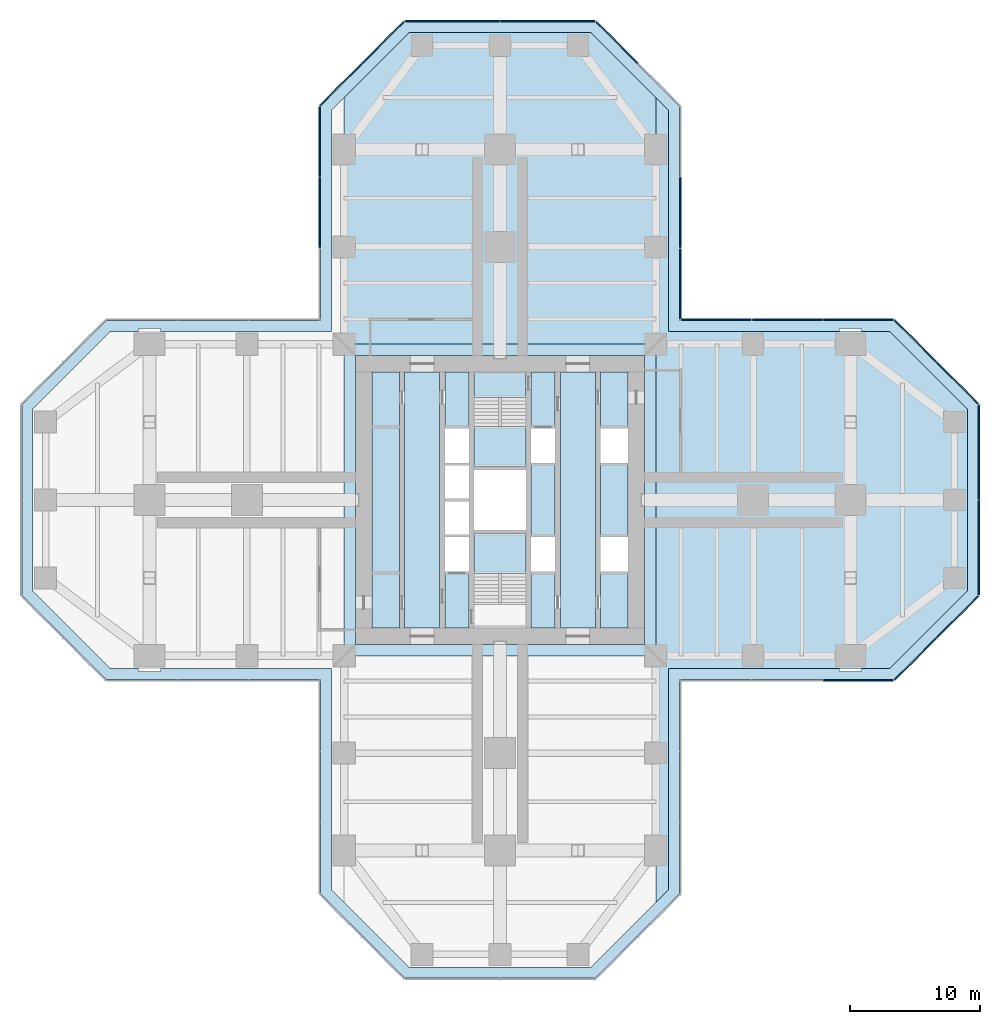
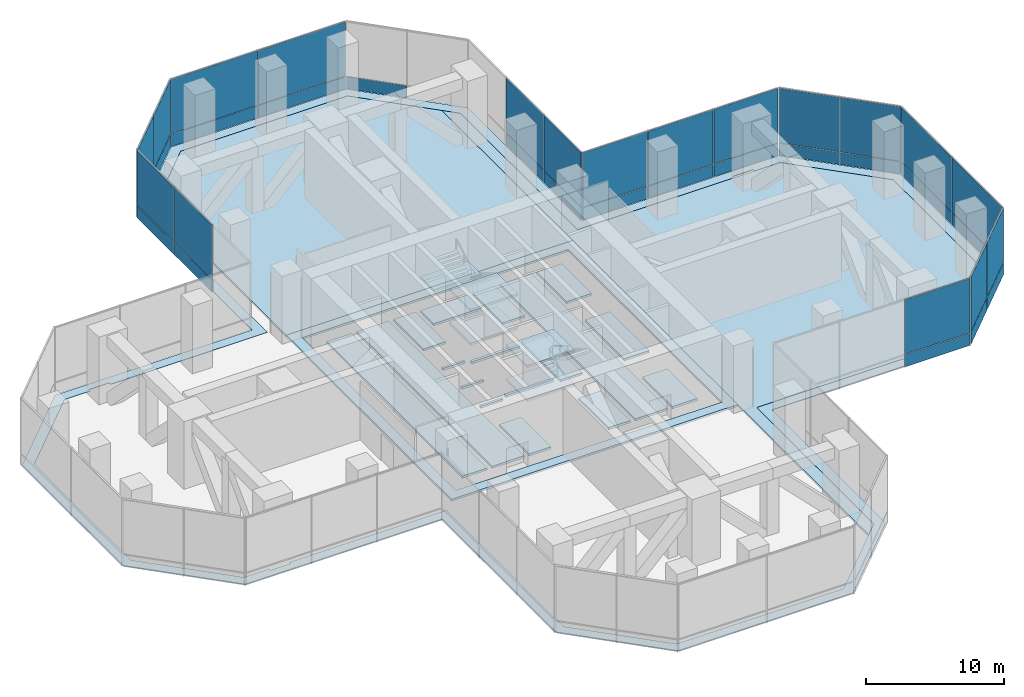
# One storey, part 14 of 20: 38 plates, 10 slabs, 12 elements without a shape of their own.
"""IFC4 building model written with IfcOpenShell, lengths in metres."""

from ifc_helpers import new_model, si_unit, direction, frame, origin, origin_2d, place, context, subcontext, project, spatial, polyline, rectangle, outline, extrude, material, layer, layer_set, type_object, element, aggregate, save


model = new_model("IFC4")

# Units and contexts
model_context = context("Model", 3, precision=1e-05, world=origin(), true_north=direction((0.0, 1.0)))
body_context = subcontext(model_context, "Body", "Model", "MODEL_VIEW")
ifc_project = project(units=[si_unit("LENGTHUNIT", "METRE"), si_unit("AREAUNIT", "SQUARE_METRE"), si_unit("VOLUMEUNIT", "CUBIC_METRE"), si_unit("PLANEANGLEUNIT", "RADIAN"), si_unit("MASSUNIT", "GRAM", prefix="KILO")], contexts=[model_context])

# Site, building, storey
site_placement = place(None, origin())
site = spatial("IfcSite", under=ifc_project, at=site_placement, CompositionType="ELEMENT")
building_placement = place(site_placement, origin())
building = spatial("IfcBuilding", under=site, at=building_placement, Name="Mizan Broadcast Tower", CompositionType="ELEMENT")
storey_placement = place(building_placement, frame((0.0, 0.0, 118.199951171875)))
storey = spatial("IfcBuildingStorey", under=building, at=storey_placement, Name="L26", CompositionType="ELEMENT", Elevation=118.199951171875)

# Plate
ifc_material_1 = material(Name="Aluminium grating", Category="aluminium")
ifc_layer_1 = layer(ifc_material_1, 0.050048828125)
ifc_layer_set_1 = layer_set([ifc_layer_1], Name="Aluminium grating")
plate_type_1 = type_object("IfcPlateType", Name="CAVITY GRATING", PredefinedType="USERDEFINED", material=ifc_layer_set_1)
plate_1_placement = place(storey_placement, frame((0.0, 0.0, -0.050048828125)))
element("IfcPlate", 1, at=plate_1_placement, inside=storey, type_object=plate_type_1, Name="Cavity grating L26", ObjectType="GRATING", PredefinedType="USERDEFINED", context=body_context, shape_type="SweptSolid", body=[
    extrude(outline(polyline([(7.339599609375, -36.820068359375), (13.820068359375, -30.339599609375), (13.820068359375, -13.820068359375), (30.339599609375, -13.820068359375), (36.820068359375, -7.339599609375), (36.820068359375, 7.339599609375), (30.339599609375, 13.820068359375), (13.820068359375, 13.820068359375), (13.820068359375, 30.339599609375), (7.339599609375, 36.820068359375), (-7.339599609375, 36.820068359375), (-13.820068359375, 30.339599609375), (-13.820068359375, 13.820068359375), (-30.339599609375, 13.820068359375), (-36.820068359375, 7.339599609375), (-36.820068359375, -7.339599609375), (-30.339599609375, -13.820068359375), (-13.820068359375, -13.820068359375), (-13.820068359375, -30.339599609375), (-7.339599609375, -36.820068359375), (7.339599609375, -36.820068359375)]), holes=[polyline([(36.0, -7.0), (30.0, -13.0), (27.85009765625, -13.0), (27.85009765625, -13.199951171875), (26.14990234375, -13.199951171875), (26.14990234375, -13.0), (13.0, -13.0), (13.0, -30.0), (7.0, -36.0), (-7.0, -36.0), (-13.0, -30.0), (-13.0, -13.0), (-26.14990234375, -13.0), (-26.14990234375, -13.199951171875), (-27.85009765625, -13.199951171875), (-27.85009765625, -13.0), (-30.0, -13.0), (-36.0, -7.0), (-36.0, 7.0), (-30.0, 13.0), (-27.85009765625, 13.0), (-27.85009765625, 13.199951171875), (-26.14990234375, 13.199951171875), (-26.14990234375, 13.0), (-13.0, 13.0), (-13.0, 30.0), (-7.0, 36.0), (7.0, 36.0), (13.0, 30.0), (13.0, 13.0), (26.14990234375, 13.0), (26.14990234375, 13.199951171875), (27.85009765625, 13.199951171875), (27.85009765625, 13.0), (30.0, 13.0), (36.0, 7.0), (36.0, -7.0)])]), origin(), (0.0, 0.0, 1.0), 0.050048828125),
])

# Slab
ifc_material_2 = material(Name="Concrete C40/50", Category="concrete")
ifc_layer_2 = layer(ifc_material_2, 0.199951171875)
ifc_layer_set_2 = layer_set([ifc_layer_2], Name="Concrete C40/50")
slab_type_1 = type_object("IfcSlabType", Name="CORE FLOOR 200", PredefinedType="FLOOR", material=ifc_layer_set_2)
slab_1_placement = place(storey_placement, frame((0.0, 0.0, -0.199951171875)))
element("IfcSlab", 2, at=slab_1_placement, inside=storey, type_object=slab_type_1, Name="Core floor L26", PredefinedType="FLOOR", context=body_context, shape_type="SweptSolid", body=[
    extrude(outline(polyline([(-9.85009765625, -9.85009765625), (-7.75, -9.85009765625), (-7.75, 9.85009765625), (-9.85009765625, 9.85009765625), (-9.85009765625, -9.85009765625)])), origin(), (0.0, 0.0, 1.0), 0.199951171875),
    extrude(outline(polyline([(-4.64990234375, 9.85009765625), (-7.35009765625, 9.85009765625), (-7.35009765625, -9.85009765625), (-4.64990234375, -9.85009765625), (-4.64990234375, 9.85009765625)])), origin(), (0.0, 0.0, 1.0), 0.199951171875),
    extrude(outline(polyline([(-4.25, -5.5), (-4.25, -9.85009765625), (-2.39990234375, -9.85009765625), (-2.39990234375, -5.5), (-4.25, -5.5)])), origin(), (0.0, 0.0, 1.0), 0.199951171875),
    extrude(outline(polyline([(-4.25, -2.85009765625), (-2.39990234375, -2.85009765625), (-2.39990234375, -2.64990234375), (-4.25, -2.64990234375), (-4.25, -2.85009765625)])), origin(), (0.0, 0.0, 1.0), 0.199951171875),
    extrude(outline(polyline([(-4.25, -0.10009765625), (-2.39990234375, -0.10009765625), (-2.39990234375, 0.10009765625), (-4.25, 0.10009765625), (-4.25, -0.10009765625)])), origin(), (0.0, 0.0, 1.0), 0.199951171875),
    extrude(outline(polyline([(-4.25, 2.64990234375), (-2.39990234375, 2.64990234375), (-2.39990234375, 2.85009765625), (-4.25, 2.85009765625), (-4.25, 2.64990234375)])), origin(), (0.0, 0.0, 1.0), 0.199951171875),
    extrude(outline(polyline([(-4.25, 5.5), (-2.39990234375, 5.5), (-2.39990234375, 9.85009765625), (-4.25, 9.85009765625), (-4.25, 5.5)])), origin(), (0.0, 0.0, 1.0), 0.199951171875),
    extrude(outline(polyline([(2.0, -2.324951171875), (-2.0, -2.324951171875), (-2.0, -2.574951171875), (2.0, -2.574951171875), (2.0, -2.324951171875)])), origin(), (0.0, 0.0, 1.0), 0.199951171875),
    extrude(outline(polyline([(2.0, 2.574951171875), (-2.0, 2.574951171875), (-2.0, 2.324951171875), (2.0, 2.324951171875), (2.0, 2.574951171875)])), origin(), (0.0, 0.0, 1.0), 0.199951171875),
    extrude(outline(polyline([(4.25, -9.85009765625), (4.25, -5.5), (2.39990234375, -5.5), (2.39990234375, -9.85009765625), (4.25, -9.85009765625)])), origin(), (0.0, 0.0, 1.0), 0.199951171875),
    extrude(outline(polyline([(4.25, -2.85009765625), (4.25, 2.85009765625), (2.39990234375, 2.85009765625), (2.39990234375, -2.85009765625), (4.25, -2.85009765625)])), origin(), (0.0, 0.0, 1.0), 0.199951171875),
    extrude(outline(polyline([(4.25, 5.5), (4.25, 9.85009765625), (2.39990234375, 9.85009765625), (2.39990234375, 5.5), (4.25, 5.5)])), origin(), (0.0, 0.0, 1.0), 0.199951171875),
    extrude(outline(polyline([(4.64990234375, 9.85009765625), (4.64990234375, -9.85009765625), (7.35009765625, -9.85009765625), (7.35009765625, 9.85009765625), (4.64990234375, 9.85009765625)])), origin(), (0.0, 0.0, 1.0), 0.199951171875),
    extrude(outline(polyline([(9.85009765625, -9.85009765625), (9.85009765625, -5.5), (7.75, -5.5), (7.75, -9.85009765625), (9.85009765625, -9.85009765625)])), origin(), (0.0, 0.0, 1.0), 0.199951171875),
    extrude(outline(polyline([(7.75, -2.85009765625), (9.85009765625, -2.85009765625), (9.85009765625, 2.85009765625), (7.75, 2.85009765625), (7.75, -2.85009765625)])), origin(), (0.0, 0.0, 1.0), 0.199951171875),
    extrude(outline(polyline([(9.85009765625, 5.5), (9.85009765625, 9.85009765625), (7.75, 9.85009765625), (7.75, 5.5), (9.85009765625, 5.5)])), origin(), (0.0, 0.0, 1.0), 0.199951171875),
])

# Curtain wall, plates
ifc_material_3 = material(Name="Aluminium framed glazing", Category="aluminium")
curtain_wall_type = type_object("IfcCurtainWallType", Name="PLANT LOUVRE", PredefinedType="USERDEFINED", material=ifc_material_3)
curtain_wall_1_placement = place(storey_placement, origin())
curtain_wall_1 = element("IfcCurtainWall", 3, at=curtain_wall_1_placement, inside=storey, type_object=curtain_wall_type, Name="Plant louvre L26 E side", ObjectType="PLANT LOUVRE", PredefinedType="USERDEFINED")
ifc_material_4 = material(Name="Extruded aluminium weather louvre, pale anodised", Category="aluminium")
ifc_layer_3 = layer(ifc_material_4, 0.10009765625)
ifc_layer_set_3 = layer_set([ifc_layer_3], Name="Extruded aluminium weather louvre, pale anodised")
plate_type_2 = type_object("IfcPlateType", Name="PLANT LOUVRE PANEL", PredefinedType="USERDEFINED", material=ifc_layer_set_3)
plate_2_placement = place(storey_placement, frame((27.6123046875, -13.89990234375, 0.0), z_axis=(0.0, 0.0, 1.0), x_axis=(1.0, 0.0, 0.0)))
plate_2 = element("IfcPlate", 4, at=plate_2_placement, type_object=plate_type_2, Name="Plant louvre L26 E side panel 3.1", ObjectType="LOUVRE", PredefinedType="USERDEFINED", context=body_context, shape_type="SweptSolid", body=[
    extrude(rectangle(XDim=5.40087890625, YDim=0.10009765625, at=origin_2d()), origin(), (0.0, 0.0, 1.0), 1.070068359375),
])
plate_3_placement = place(storey_placement, frame((27.6123046875, -13.89990234375, 1.130126953125), z_axis=(0.0, 0.0, 1.0), x_axis=(1.0, 0.0, 0.0)))
plate_3 = element("IfcPlate", 5, at=plate_3_placement, type_object=plate_type_2, Name="Plant louvre L26 E side panel 3.2", ObjectType="LOUVRE", PredefinedType="USERDEFINED", context=body_context, shape_type="SweptSolid", body=[
    extrude(rectangle(XDim=5.40087890625, YDim=0.10009765625, at=origin_2d()), origin(), (0.0, 0.0, 1.0), 4.81005859375),
])
aggregate(curtain_wall_1, [plate_2, plate_3])

curtain_wall_2_placement = place(storey_placement, origin())
curtain_wall_2 = element("IfcCurtainWall", 6, at=curtain_wall_2_placement, inside=storey, type_object=curtain_wall_type, Name="Plant louvre L26 E chamfer", ObjectType="PLANT LOUVRE", PredefinedType="USERDEFINED")
plate_4_placement = place(storey_placement, frame((32.01513671875, -12.257568359375, 0.0), z_axis=(0.0, 0.0, 1.0), x_axis=(0.707106781187, 0.707106781187, 0.0)))
plate_4 = element("IfcPlate", 7, at=plate_4_placement, type_object=plate_type_2, Name="Plant louvre L26 E chamfer panel 1.1", ObjectType="LOUVRE", PredefinedType="USERDEFINED", context=body_context, shape_type="SweptSolid", body=[
    extrude(rectangle(XDim=4.525390625, YDim=0.10009765625, at=origin_2d()), origin(), (0.0, 0.0, 1.0), 1.070068359375),
])
plate_5_placement = place(storey_placement, frame((32.01513671875, -12.257568359375, 1.130126953125), z_axis=(0.0, 0.0, 1.0), x_axis=(0.707106781187, 0.707106781187, 0.0)))
plate_5 = element("IfcPlate", 8, at=plate_5_placement, type_object=plate_type_2, Name="Plant louvre L26 E chamfer panel 1.2", ObjectType="LOUVRE", PredefinedType="USERDEFINED", context=body_context, shape_type="SweptSolid", body=[
    extrude(rectangle(XDim=4.525390625, YDim=0.10009765625, at=origin_2d()), origin(), (0.0, 0.0, 1.0), 4.81005859375),
])
plate_6_placement = place(storey_placement, frame((35.257568359375, -9.01513671875, 0.0), z_axis=(0.0, 0.0, 1.0), x_axis=(0.707106781187, 0.707106781187, 0.0)))
plate_6 = element("IfcPlate", 9, at=plate_6_placement, type_object=plate_type_2, Name="Plant louvre L26 E chamfer panel 2.1", ObjectType="LOUVRE", PredefinedType="USERDEFINED", context=body_context, shape_type="SweptSolid", body=[
    extrude(rectangle(XDim=4.525390625, YDim=0.10009765625, at=origin_2d()), origin(), (0.0, 0.0, 1.0), 1.070068359375),
])
plate_7_placement = place(storey_placement, frame((35.257568359375, -9.01513671875, 1.130126953125), z_axis=(0.0, 0.0, 1.0), x_axis=(0.707106781187, 0.707106781187, 0.0)))
plate_7 = element("IfcPlate", 10, at=plate_7_placement, type_object=plate_type_2, Name="Plant louvre L26 E chamfer panel 2.2", ObjectType="LOUVRE", PredefinedType="USERDEFINED", context=body_context, shape_type="SweptSolid", body=[
    extrude(rectangle(XDim=4.525390625, YDim=0.10009765625, at=origin_2d()), origin(), (0.0, 0.0, 1.0), 4.81005859375),
])
aggregate(curtain_wall_2, [plate_4, plate_5, plate_6, plate_7])

curtain_wall_3_placement = place(storey_placement, origin())
curtain_wall_3 = element("IfcCurtainWall", 11, at=curtain_wall_3_placement, inside=storey, type_object=curtain_wall_type, Name="Plant louvre L26 E end", ObjectType="PLANT LOUVRE", PredefinedType="USERDEFINED")
plate_8_placement = place(storey_placement, frame((36.89990234375, -3.67138671875, 0.0), z_axis=(0.0, 0.0, 1.0), x_axis=(0.0, 1.0, 0.0)))
plate_8 = element("IfcPlate", 12, at=plate_8_placement, type_object=plate_type_2, Name="Plant louvre L26 E end panel 1.1", ObjectType="LOUVRE", PredefinedType="USERDEFINED", context=body_context, shape_type="SweptSolid", body=[
    extrude(rectangle(XDim=7.28271484375, YDim=0.10009765625, at=origin_2d()), origin(), (0.0, 0.0, 1.0), 1.070068359375),
])
plate_9_placement = place(storey_placement, frame((36.89990234375, -3.67138671875, 1.130126953125), z_axis=(0.0, 0.0, 1.0), x_axis=(0.0, 1.0, 0.0)))
plate_9 = element("IfcPlate", 13, at=plate_9_placement, type_object=plate_type_2, Name="Plant louvre L26 E end panel 1.2", ObjectType="LOUVRE", PredefinedType="USERDEFINED", context=body_context, shape_type="SweptSolid", body=[
    extrude(rectangle(XDim=7.28271484375, YDim=0.10009765625, at=origin_2d()), origin(), (0.0, 0.0, 1.0), 4.81005859375),
])
plate_10_placement = place(storey_placement, frame((36.89990234375, 3.67138671875, 0.0), z_axis=(0.0, 0.0, 1.0), x_axis=(0.0, 1.0, 0.0)))
plate_10 = element("IfcPlate", 14, at=plate_10_placement, type_object=plate_type_2, Name="Plant louvre L26 E end panel 2.1", ObjectType="LOUVRE", PredefinedType="USERDEFINED", context=body_context, shape_type="SweptSolid", body=[
    extrude(rectangle(XDim=7.28271484375, YDim=0.10009765625, at=origin_2d()), origin(), (0.0, 0.0, 1.0), 1.070068359375),
])
plate_11_placement = place(storey_placement, frame((36.89990234375, 3.67138671875, 1.130126953125), z_axis=(0.0, 0.0, 1.0), x_axis=(0.0, 1.0, 0.0)))
plate_11 = element("IfcPlate", 15, at=plate_11_placement, type_object=plate_type_2, Name="Plant louvre L26 E end panel 2.2", ObjectType="LOUVRE", PredefinedType="USERDEFINED", context=body_context, shape_type="SweptSolid", body=[
    extrude(rectangle(XDim=7.28271484375, YDim=0.10009765625, at=origin_2d()), origin(), (0.0, 0.0, 1.0), 4.81005859375),
])
aggregate(curtain_wall_3, [plate_8, plate_9, plate_10, plate_11])

curtain_wall_4_placement = place(storey_placement, origin())
curtain_wall_4 = element("IfcCurtainWall", 16, at=curtain_wall_4_placement, inside=storey, type_object=curtain_wall_type, Name="Plant louvre L26 E chamfer", ObjectType="PLANT LOUVRE", PredefinedType="USERDEFINED")
plate_12_placement = place(storey_placement, frame((35.257568359375, 9.01513671875, 0.0), z_axis=(0.0, 0.0, 1.0), x_axis=(-0.707106781187, 0.707106781187, 0.0)))
plate_12 = element("IfcPlate", 17, at=plate_12_placement, type_object=plate_type_2, Name="Plant louvre L26 E chamfer panel 1.1", ObjectType="LOUVRE", PredefinedType="USERDEFINED", context=body_context, shape_type="SweptSolid", body=[
    extrude(rectangle(XDim=4.525390625, YDim=0.10009765625, at=origin_2d()), origin(), (0.0, 0.0, 1.0), 1.070068359375),
])
plate_13_placement = place(storey_placement, frame((35.257568359375, 9.01513671875, 1.130126953125), z_axis=(0.0, 0.0, 1.0), x_axis=(-0.707106781187, 0.707106781187, 0.0)))
plate_13 = element("IfcPlate", 18, at=plate_13_placement, type_object=plate_type_2, Name="Plant louvre L26 E chamfer panel 1.2", ObjectType="LOUVRE", PredefinedType="USERDEFINED", context=body_context, shape_type="SweptSolid", body=[
    extrude(rectangle(XDim=4.525390625, YDim=0.10009765625, at=origin_2d()), origin(), (0.0, 0.0, 1.0), 4.81005859375),
])
plate_14_placement = place(storey_placement, frame((32.01513671875, 12.257568359375, 0.0), z_axis=(0.0, 0.0, 1.0), x_axis=(-0.707106781187, 0.707106781187, 0.0)))
plate_14 = element("IfcPlate", 19, at=plate_14_placement, type_object=plate_type_2, Name="Plant louvre L26 E chamfer panel 2.1", ObjectType="LOUVRE", PredefinedType="USERDEFINED", context=body_context, shape_type="SweptSolid", body=[
    extrude(rectangle(XDim=4.525390625, YDim=0.10009765625, at=origin_2d()), origin(), (0.0, 0.0, 1.0), 1.070068359375),
])
plate_15_placement = place(storey_placement, frame((32.01513671875, 12.257568359375, 1.130126953125), z_axis=(0.0, 0.0, 1.0), x_axis=(-0.707106781187, 0.707106781187, 0.0)))
plate_15 = element("IfcPlate", 20, at=plate_15_placement, type_object=plate_type_2, Name="Plant louvre L26 E chamfer panel 2.2", ObjectType="LOUVRE", PredefinedType="USERDEFINED", context=body_context, shape_type="SweptSolid", body=[
    extrude(rectangle(XDim=4.525390625, YDim=0.10009765625, at=origin_2d()), origin(), (0.0, 0.0, 1.0), 4.81005859375),
])
aggregate(curtain_wall_4, [plate_12, plate_13, plate_14, plate_15])

curtain_wall_5_placement = place(storey_placement, origin())
curtain_wall_5 = element("IfcCurtainWall", 21, at=curtain_wall_5_placement, inside=storey, type_object=curtain_wall_type, Name="Plant louvre L26 E side", ObjectType="PLANT LOUVRE", PredefinedType="USERDEFINED")
plate_16_placement = place(storey_placement, frame((27.6123046875, 13.89990234375, 0.0), z_axis=(0.0, 0.0, 1.0), x_axis=(-1.0, 0.0, 0.0)))
plate_16 = element("IfcPlate", 22, at=plate_16_placement, type_object=plate_type_2, Name="Plant louvre L26 E side panel 1.1", ObjectType="LOUVRE", PredefinedType="USERDEFINED", context=body_context, shape_type="SweptSolid", body=[
    extrude(rectangle(XDim=5.40087890625, YDim=0.10009765625, at=origin_2d()), origin(), (0.0, 0.0, 1.0), 1.070068359375),
])
plate_17_placement = place(storey_placement, frame((27.6123046875, 13.89990234375, 1.130126953125), z_axis=(0.0, 0.0, 1.0), x_axis=(-1.0, 0.0, 0.0)))
plate_17 = element("IfcPlate", 23, at=plate_17_placement, type_object=plate_type_2, Name="Plant louvre L26 E side panel 1.2", ObjectType="LOUVRE", PredefinedType="USERDEFINED", context=body_context, shape_type="SweptSolid", body=[
    extrude(rectangle(XDim=5.40087890625, YDim=0.10009765625, at=origin_2d()), origin(), (0.0, 0.0, 1.0), 4.81005859375),
])
plate_18_placement = place(storey_placement, frame((22.136474609375, 13.89990234375, 0.0), z_axis=(0.0, 0.0, 1.0), x_axis=(-1.0, 0.0, 0.0)))
plate_18 = element("IfcPlate", 24, at=plate_18_placement, type_object=plate_type_2, Name="Plant louvre L26 E side panel 2.1", ObjectType="LOUVRE", PredefinedType="USERDEFINED", context=body_context, shape_type="SweptSolid", body=[
    extrude(rectangle(XDim=5.430908203125, YDim=0.10009765625, at=origin_2d()), origin(), (0.0, 0.0, 1.0), 1.070068359375),
])
plate_19_placement = place(storey_placement, frame((22.136474609375, 13.89990234375, 1.130126953125), z_axis=(0.0, 0.0, 1.0), x_axis=(-1.0, 0.0, 0.0)))
plate_19 = element("IfcPlate", 25, at=plate_19_placement, type_object=plate_type_2, Name="Plant louvre L26 E side panel 2.2", ObjectType="LOUVRE", PredefinedType="USERDEFINED", context=body_context, shape_type="SweptSolid", body=[
    extrude(rectangle(XDim=5.430908203125, YDim=0.10009765625, at=origin_2d()), origin(), (0.0, 0.0, 1.0), 4.81005859375),
])
plate_20_placement = place(storey_placement, frame((16.660400390625, 13.89990234375, 0.0), z_axis=(0.0, 0.0, 1.0), x_axis=(-1.0, 0.0, 0.0)))
plate_20 = element("IfcPlate", 26, at=plate_20_placement, type_object=plate_type_2, Name="Plant louvre L26 E side panel 3.1", ObjectType="LOUVRE", PredefinedType="USERDEFINED", context=body_context, shape_type="SweptSolid", body=[
    extrude(rectangle(XDim=5.40087890625, YDim=0.10009765625, at=origin_2d()), origin(), (0.0, 0.0, 1.0), 1.070068359375),
])
plate_21_placement = place(storey_placement, frame((16.660400390625, 13.89990234375, 1.130126953125), z_axis=(0.0, 0.0, 1.0), x_axis=(-1.0, 0.0, 0.0)))
plate_21 = element("IfcPlate", 27, at=plate_21_placement, type_object=plate_type_2, Name="Plant louvre L26 E side panel 3.2", ObjectType="LOUVRE", PredefinedType="USERDEFINED", context=body_context, shape_type="SweptSolid", body=[
    extrude(rectangle(XDim=5.40087890625, YDim=0.10009765625, at=origin_2d()), origin(), (0.0, 0.0, 1.0), 4.81005859375),
])
aggregate(curtain_wall_5, [plate_16, plate_17, plate_18, plate_19, plate_20, plate_21])

curtain_wall_6_placement = place(storey_placement, origin())
curtain_wall_6 = element("IfcCurtainWall", 28, at=curtain_wall_6_placement, inside=storey, type_object=curtain_wall_type, Name="Plant louvre L26 N side", ObjectType="PLANT LOUVRE", PredefinedType="USERDEFINED")
plate_22_placement = place(storey_placement, frame((13.89990234375, 16.660400390625, 0.0), z_axis=(0.0, 0.0, 1.0), x_axis=(0.0, 1.0, 0.0)))
plate_22 = element("IfcPlate", 29, at=plate_22_placement, type_object=plate_type_2, Name="Plant louvre L26 N side panel 1.1", ObjectType="LOUVRE", PredefinedType="USERDEFINED", context=body_context, shape_type="SweptSolid", body=[
    extrude(rectangle(XDim=5.40087890625, YDim=0.10009765625, at=origin_2d()), origin(), (0.0, 0.0, 1.0), 1.070068359375),
])
plate_23_placement = place(storey_placement, frame((13.89990234375, 16.660400390625, 1.130126953125), z_axis=(0.0, 0.0, 1.0), x_axis=(0.0, 1.0, 0.0)))
plate_23 = element("IfcPlate", 30, at=plate_23_placement, type_object=plate_type_2, Name="Plant louvre L26 N side panel 1.2", ObjectType="LOUVRE", PredefinedType="USERDEFINED", context=body_context, shape_type="SweptSolid", body=[
    extrude(rectangle(XDim=5.40087890625, YDim=0.10009765625, at=origin_2d()), origin(), (0.0, 0.0, 1.0), 4.81005859375),
])
plate_24_placement = place(storey_placement, frame((13.89990234375, 22.136474609375, 0.0), z_axis=(0.0, 0.0, 1.0), x_axis=(0.0, 1.0, 0.0)))
plate_24 = element("IfcPlate", 31, at=plate_24_placement, type_object=plate_type_2, Name="Plant louvre L26 N side panel 2.1", ObjectType="LOUVRE", PredefinedType="USERDEFINED", context=body_context, shape_type="SweptSolid", body=[
    extrude(rectangle(XDim=5.430908203125, YDim=0.10009765625, at=origin_2d()), origin(), (0.0, 0.0, 1.0), 1.070068359375),
])
plate_25_placement = place(storey_placement, frame((13.89990234375, 22.136474609375, 1.130126953125), z_axis=(0.0, 0.0, 1.0), x_axis=(0.0, 1.0, 0.0)))
plate_25 = element("IfcPlate", 32, at=plate_25_placement, type_object=plate_type_2, Name="Plant louvre L26 N side panel 2.2", ObjectType="LOUVRE", PredefinedType="USERDEFINED", context=body_context, shape_type="SweptSolid", body=[
    extrude(rectangle(XDim=5.430908203125, YDim=0.10009765625, at=origin_2d()), origin(), (0.0, 0.0, 1.0), 4.81005859375),
])
aggregate(curtain_wall_6, [plate_22, plate_23, plate_24, plate_25])

# Curtain wall, plate
curtain_wall_7_placement = place(storey_placement, origin())
curtain_wall_7 = element("IfcCurtainWall", 33, at=curtain_wall_7_placement, inside=storey, type_object=curtain_wall_type, Name="Plant louvre L26 N chamfer", ObjectType="PLANT LOUVRE", PredefinedType="USERDEFINED")
plate_26_placement = place(storey_placement, frame((9.01513671875, 35.257568359375, 0.0), z_axis=(0.0, 0.0, 1.0), x_axis=(-0.707106781187, 0.707106781187, 0.0)))
plate_26 = element("IfcPlate", 34, at=plate_26_placement, type_object=plate_type_2, Name="Plant louvre L26 N chamfer panel 2.1", ObjectType="LOUVRE", PredefinedType="USERDEFINED", context=body_context, shape_type="SweptSolid", body=[
    extrude(rectangle(XDim=4.525390625, YDim=0.10009765625, at=origin_2d()), origin(), (0.0, 0.0, 1.0), 1.070068359375),
])
aggregate(curtain_wall_7, [plate_26])

# Curtain wall, plates
curtain_wall_8_placement = place(storey_placement, origin())
curtain_wall_8 = element("IfcCurtainWall", 35, at=curtain_wall_8_placement, inside=storey, type_object=curtain_wall_type, Name="Plant louvre L26 N end", ObjectType="PLANT LOUVRE", PredefinedType="USERDEFINED")
plate_27_placement = place(storey_placement, frame((3.67138671875, 36.89990234375, 0.0), z_axis=(0.0, 0.0, 1.0), x_axis=(-1.0, 0.0, 0.0)))
plate_27 = element("IfcPlate", 36, at=plate_27_placement, type_object=plate_type_2, Name="Plant louvre L26 N end panel 1.1", ObjectType="LOUVRE", PredefinedType="USERDEFINED", context=body_context, shape_type="SweptSolid", body=[
    extrude(rectangle(XDim=7.28271484375, YDim=0.10009765625, at=origin_2d()), origin(), (0.0, 0.0, 1.0), 1.070068359375),
])
plate_28_placement = place(storey_placement, frame((3.67138671875, 36.89990234375, 1.130126953125), z_axis=(0.0, 0.0, 1.0), x_axis=(-1.0, 0.0, 0.0)))
plate_28 = element("IfcPlate", 37, at=plate_28_placement, type_object=plate_type_2, Name="Plant louvre L26 N end panel 1.2", ObjectType="LOUVRE", PredefinedType="USERDEFINED", context=body_context, shape_type="SweptSolid", body=[
    extrude(rectangle(XDim=7.28271484375, YDim=0.10009765625, at=origin_2d()), origin(), (0.0, 0.0, 1.0), 4.81005859375),
])
plate_29_placement = place(storey_placement, frame((-3.67138671875, 36.89990234375, 0.0), z_axis=(0.0, 0.0, 1.0), x_axis=(-1.0, 0.0, 0.0)))
plate_29 = element("IfcPlate", 38, at=plate_29_placement, type_object=plate_type_2, Name="Plant louvre L26 N end panel 2.1", ObjectType="LOUVRE", PredefinedType="USERDEFINED", context=body_context, shape_type="SweptSolid", body=[
    extrude(rectangle(XDim=7.28271484375, YDim=0.10009765625, at=origin_2d()), origin(), (0.0, 0.0, 1.0), 1.070068359375),
])
plate_30_placement = place(storey_placement, frame((-3.67138671875, 36.89990234375, 1.130126953125), z_axis=(0.0, 0.0, 1.0), x_axis=(-1.0, 0.0, 0.0)))
plate_30 = element("IfcPlate", 39, at=plate_30_placement, type_object=plate_type_2, Name="Plant louvre L26 N end panel 2.2", ObjectType="LOUVRE", PredefinedType="USERDEFINED", context=body_context, shape_type="SweptSolid", body=[
    extrude(rectangle(XDim=7.28271484375, YDim=0.10009765625, at=origin_2d()), origin(), (0.0, 0.0, 1.0), 4.81005859375),
])
aggregate(curtain_wall_8, [plate_27, plate_28, plate_29, plate_30])

curtain_wall_9_placement = place(storey_placement, origin())
curtain_wall_9 = element("IfcCurtainWall", 40, at=curtain_wall_9_placement, inside=storey, type_object=curtain_wall_type, Name="Plant louvre L26 N chamfer", ObjectType="PLANT LOUVRE", PredefinedType="USERDEFINED")
plate_31_placement = place(storey_placement, frame((-9.01513671875, 35.257568359375, 0.0), z_axis=(0.0, 0.0, 1.0), x_axis=(-0.707106781187, -0.707106781187, 0.0)))
plate_31 = element("IfcPlate", 41, at=plate_31_placement, type_object=plate_type_2, Name="Plant louvre L26 N chamfer panel 1.1", ObjectType="LOUVRE", PredefinedType="USERDEFINED", context=body_context, shape_type="SweptSolid", body=[
    extrude(rectangle(XDim=4.525390625, YDim=0.10009765625, at=origin_2d()), origin(), (0.0, 0.0, 1.0), 1.070068359375),
])
plate_32_placement = place(storey_placement, frame((-9.01513671875, 35.257568359375, 1.130126953125), z_axis=(0.0, 0.0, 1.0), x_axis=(-0.707106781187, -0.707106781187, 0.0)))
plate_32 = element("IfcPlate", 42, at=plate_32_placement, type_object=plate_type_2, Name="Plant louvre L26 N chamfer panel 1.2", ObjectType="LOUVRE", PredefinedType="USERDEFINED", context=body_context, shape_type="SweptSolid", body=[
    extrude(rectangle(XDim=4.525390625, YDim=0.10009765625, at=origin_2d()), origin(), (0.0, 0.0, 1.0), 4.81005859375),
])
plate_33_placement = place(storey_placement, frame((-12.257568359375, 32.01513671875, 0.0), z_axis=(0.0, 0.0, 1.0), x_axis=(-0.707106781187, -0.707106781187, 0.0)))
plate_33 = element("IfcPlate", 43, at=plate_33_placement, type_object=plate_type_2, Name="Plant louvre L26 N chamfer panel 2.1", ObjectType="LOUVRE", PredefinedType="USERDEFINED", context=body_context, shape_type="SweptSolid", body=[
    extrude(rectangle(XDim=4.525390625, YDim=0.10009765625, at=origin_2d()), origin(), (0.0, 0.0, 1.0), 1.070068359375),
])
plate_34_placement = place(storey_placement, frame((-12.257568359375, 32.01513671875, 1.130126953125), z_axis=(0.0, 0.0, 1.0), x_axis=(-0.707106781187, -0.707106781187, 0.0)))
plate_34 = element("IfcPlate", 44, at=plate_34_placement, type_object=plate_type_2, Name="Plant louvre L26 N chamfer panel 2.2", ObjectType="LOUVRE", PredefinedType="USERDEFINED", context=body_context, shape_type="SweptSolid", body=[
    extrude(rectangle(XDim=4.525390625, YDim=0.10009765625, at=origin_2d()), origin(), (0.0, 0.0, 1.0), 4.81005859375),
])
aggregate(curtain_wall_9, [plate_31, plate_32, plate_33, plate_34])

curtain_wall_10_placement = place(storey_placement, origin())
curtain_wall_10 = element("IfcCurtainWall", 45, at=curtain_wall_10_placement, inside=storey, type_object=curtain_wall_type, Name="Plant louvre L26 N side", ObjectType="PLANT LOUVRE", PredefinedType="USERDEFINED")
plate_35_placement = place(storey_placement, frame((-13.89990234375, 27.6123046875, 0.0), z_axis=(0.0, 0.0, 1.0), x_axis=(0.0, -1.0, 0.0)))
plate_35 = element("IfcPlate", 46, at=plate_35_placement, type_object=plate_type_2, Name="Plant louvre L26 N side panel 1.1", ObjectType="LOUVRE", PredefinedType="USERDEFINED", context=body_context, shape_type="SweptSolid", body=[
    extrude(rectangle(XDim=5.40087890625, YDim=0.10009765625, at=origin_2d()), origin(), (0.0, 0.0, 1.0), 1.070068359375),
])
plate_36_placement = place(storey_placement, frame((-13.89990234375, 27.6123046875, 1.130126953125), z_axis=(0.0, 0.0, 1.0), x_axis=(0.0, -1.0, 0.0)))
plate_36 = element("IfcPlate", 47, at=plate_36_placement, type_object=plate_type_2, Name="Plant louvre L26 N side panel 1.2", ObjectType="LOUVRE", PredefinedType="USERDEFINED", context=body_context, shape_type="SweptSolid", body=[
    extrude(rectangle(XDim=5.40087890625, YDim=0.10009765625, at=origin_2d()), origin(), (0.0, 0.0, 1.0), 4.81005859375),
])
plate_37_placement = place(storey_placement, frame((-13.89990234375, 22.136474609375, 0.0), z_axis=(0.0, 0.0, 1.0), x_axis=(0.0, -1.0, 0.0)))
plate_37 = element("IfcPlate", 48, at=plate_37_placement, type_object=plate_type_2, Name="Plant louvre L26 N side panel 2.1", ObjectType="LOUVRE", PredefinedType="USERDEFINED", context=body_context, shape_type="SweptSolid", body=[
    extrude(rectangle(XDim=5.430908203125, YDim=0.10009765625, at=origin_2d()), origin(), (0.0, 0.0, 1.0), 1.070068359375),
])
plate_38_placement = place(storey_placement, frame((-13.89990234375, 22.136474609375, 1.130126953125), z_axis=(0.0, 0.0, 1.0), x_axis=(0.0, -1.0, 0.0)))
plate_38 = element("IfcPlate", 49, at=plate_38_placement, type_object=plate_type_2, Name="Plant louvre L26 N side panel 2.2", ObjectType="LOUVRE", PredefinedType="USERDEFINED", context=body_context, shape_type="SweptSolid", body=[
    extrude(rectangle(XDim=5.430908203125, YDim=0.10009765625, at=origin_2d()), origin(), (0.0, 0.0, 1.0), 4.81005859375),
])
aggregate(curtain_wall_10, [plate_35, plate_36, plate_37, plate_38])

# Slabs
ifc_material_5 = material(Name="Concrete C32/40", Category="concrete")
ifc_layer_4 = layer(ifc_material_5, 0.179931640625)
ifc_layer_set_4 = layer_set([ifc_layer_4], Name="Concrete C32/40")
slab_type_2 = type_object("IfcSlabType", Name="RC SLAB ON DECK 180", PredefinedType="FLOOR", material=ifc_layer_set_4)
slab_2_placement = place(storey_placement, frame((0.0, 0.0, -0.179931640625)))
element("IfcSlab", 50, at=slab_2_placement, inside=storey, type_object=slab_type_2, Name="Floor slab L26 centre", PredefinedType="FLOOR", context=body_context, shape_type="SweptSolid", body=[
    extrude(outline(polyline([(-12.0, -12.0), (12.0, -12.0), (12.0, 12.0), (-12.0, 12.0), (-12.0, -12.0)]), holes=[polyline([(-11.14990234375, 11.14990234375), (11.14990234375, 11.14990234375), (11.14990234375, -11.14990234375), (-11.14990234375, -11.14990234375), (-11.14990234375, 11.14990234375)])]), origin(), (0.0, 0.0, 1.0), 0.179931640625),
])
slab_3_placement = place(storey_placement, frame((0.0, 0.0, -0.179931640625)))
element("IfcSlab", 51, at=slab_3_placement, inside=storey, type_object=slab_type_2, Name="Floor slab L26 east arm", PredefinedType="FLOOR", context=body_context, shape_type="SweptSolid", body=[
    extrude(outline(polyline([(12.0, -31.0), (13.0, -30.0), (13.0, -13.0), (30.0, -13.0), (36.0, -7.0), (36.0, 7.0), (30.0, 13.0), (13.0, 13.0), (13.0, 30.0), (12.0, 31.0), (12.0, -31.0)])), origin(), (0.0, 0.0, 1.0), 0.179931640625),
])
slab_4_placement = place(storey_placement, frame((0.0, 0.0, -0.179931640625)))
element("IfcSlab", 52, at=slab_4_placement, inside=storey, type_object=slab_type_2, Name="Floor slab L26 north arm", PredefinedType="FLOOR", context=body_context, shape_type="SweptSolid", body=[
    extrude(outline(polyline([(-7.0, 36.0), (-12.0, 31.0), (-12.0, 12.0), (12.0, 12.0), (12.0, 31.0), (7.0, 36.0), (-7.0, 36.0)])), origin(), (0.0, 0.0, 1.0), 0.179931640625),
])

# Stair, slabs
ifc_material_6 = material(Name="Concrete C40/50", Category="concrete")
stair_type = type_object("IfcStairType", Name="EXIT STAIR", PredefinedType="HALF_TURN_STAIR", material=ifc_material_6)
stair_1_placement = place(storey_placement, origin())
stair_1 = element("IfcStair", 53, at=stair_1_placement, inside=storey, type_object=stair_type, Name="Stair A L26", PredefinedType="HALF_TURN_STAIR")
ifc_material_7 = material(Name="Concrete C40/50", Category="concrete")
ifc_layer_5 = layer(ifc_material_7, 0.199951171875)
ifc_layer_set_5 = layer_set([ifc_layer_5], Name="Concrete C40/50")
slab_type_3 = type_object("IfcSlabType", Name="STAIR LANDING 200", PredefinedType="LANDING", material=ifc_layer_set_5)
slab_5_placement = place(storey_placement, frame((0.0, 0.0, 1.300048828125)))
slab_5 = element("IfcSlab", 54, at=slab_5_placement, type_object=slab_type_3, Name="A landing 2", PredefinedType="LANDING", context=body_context, shape_type="SweptSolid", body=[
    extrude(outline(polyline([(-2.0, -5.659912109375), (-2.0, -2.574951171875), (2.0, -2.574951171875), (2.0, -5.659912109375), (-2.0, -5.659912109375)])), origin(), (0.0, 0.0, 1.0), 0.199951171875),
])
slab_6_placement = place(storey_placement, frame((0.0, 0.0, 4.300048828125)))
slab_6 = element("IfcSlab", 55, at=slab_6_placement, type_object=slab_type_3, Name="A landing 4", PredefinedType="LANDING", context=body_context, shape_type="SweptSolid", body=[
    extrude(outline(polyline([(-2.0, -5.659912109375), (-2.0, -2.574951171875), (2.0, -2.574951171875), (2.0, -5.659912109375), (-2.0, -5.659912109375)])), origin(), (0.0, 0.0, 1.0), 0.199951171875),
])
aggregate(stair_1, [slab_5, slab_6])

stair_2_placement = place(storey_placement, origin())
stair_2 = element("IfcStair", 56, at=stair_2_placement, inside=storey, type_object=stair_type, Name="Stair B L26", PredefinedType="HALF_TURN_STAIR")
slab_7_placement = place(storey_placement, frame((0.0, 0.0, -0.199951171875)))
slab_7 = element("IfcSlab", 57, at=slab_7_placement, type_object=slab_type_3, Name="B landing 1", PredefinedType="LANDING", context=body_context, shape_type="SweptSolid", body=[
    extrude(outline(polyline([(2.0, 9.85009765625), (2.0, 7.89990234375), (-2.0, 7.89990234375), (-2.0, 9.85009765625), (2.0, 9.85009765625)])), origin(), (0.0, 0.0, 1.0), 0.199951171875),
])
slab_8_placement = place(storey_placement, frame((0.0, 0.0, 1.300048828125)))
slab_8 = element("IfcSlab", 58, at=slab_8_placement, type_object=slab_type_3, Name="B landing 2", PredefinedType="LANDING", context=body_context, shape_type="SweptSolid", body=[
    extrude(outline(polyline([(2.0, 5.659912109375), (2.0, 2.574951171875), (-2.0, 2.574951171875), (-2.0, 5.659912109375), (2.0, 5.659912109375)])), origin(), (0.0, 0.0, 1.0), 0.199951171875),
])
slab_9_placement = place(storey_placement, frame((0.0, 0.0, 2.800048828125)))
slab_9 = element("IfcSlab", 59, at=slab_9_placement, type_object=slab_type_3, Name="B landing 3", PredefinedType="LANDING", context=body_context, shape_type="SweptSolid", body=[
    extrude(outline(polyline([(2.0, 9.85009765625), (2.0, 7.89990234375), (-2.0, 7.89990234375), (-2.0, 9.85009765625), (2.0, 9.85009765625)])), origin(), (0.0, 0.0, 1.0), 0.199951171875),
])
slab_10_placement = place(storey_placement, frame((0.0, 0.0, 4.300048828125)))
slab_10 = element("IfcSlab", 60, at=slab_10_placement, type_object=slab_type_3, Name="B landing 4", PredefinedType="LANDING", context=body_context, shape_type="SweptSolid", body=[
    extrude(outline(polyline([(2.0, 5.659912109375), (2.0, 2.574951171875), (-2.0, 2.574951171875), (-2.0, 5.659912109375), (2.0, 5.659912109375)])), origin(), (0.0, 0.0, 1.0), 0.199951171875),
])
aggregate(stair_2, [slab_7, slab_8, slab_9, slab_10])

save(model, "model.ifc")
